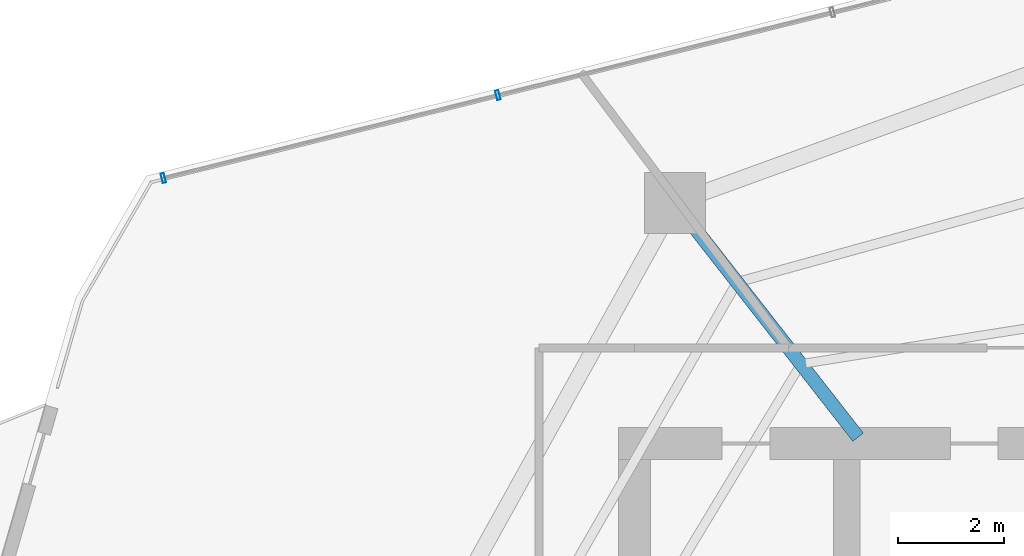
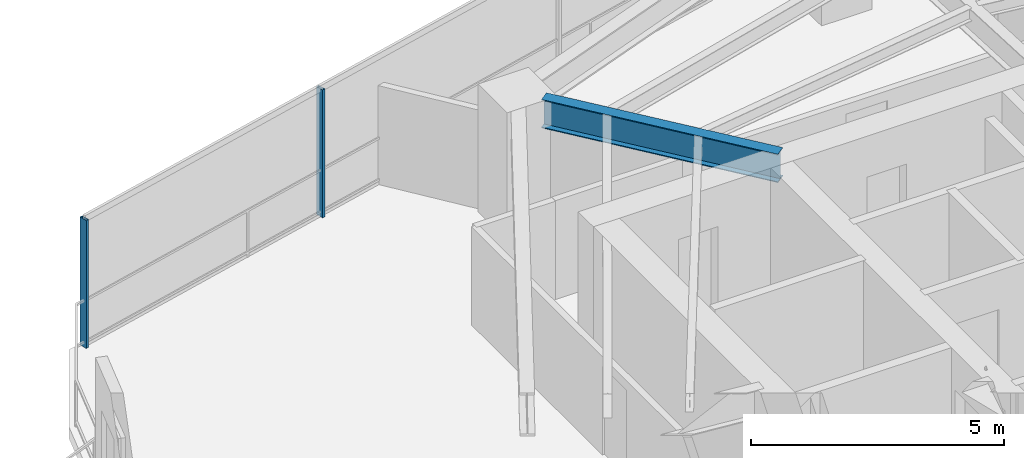
# One storey, part 12 of 23: 2 members, 1 beam, 1 element without a shape of its own.
"""IFC4 building model written with IfcOpenShell, lengths in metres."""

from ifc_helpers import new_model, si_unit, direction, frame, origin, origin_2d, place, context, subcontext, project, spatial, hollow_rectangle, i_section, extrude, material, layer, layer_set, material_profile, profile_set, type_object, element, aggregate, save


model = new_model("IFC4")

# Units and contexts
model_context = context("Model", 3, precision=1e-05, world=origin(), true_north=direction((0.0, 1.0)))
body_context = subcontext(model_context, "Body", "Model", "MODEL_VIEW")
ifc_project = project(units=[si_unit("LENGTHUNIT", "METRE"), si_unit("AREAUNIT", "SQUARE_METRE"), si_unit("VOLUMEUNIT", "CUBIC_METRE"), si_unit("PLANEANGLEUNIT", "RADIAN"), si_unit("MASSUNIT", "GRAM", prefix="KILO")], contexts=[model_context])

# Site, building, storey
site_placement = place(None, origin())
site = spatial("IfcSite", under=ifc_project, at=site_placement, CompositionType="ELEMENT")
building_placement = place(site_placement, origin())
building = spatial("IfcBuilding", under=site, at=building_placement, Name="Qarnah Convention Tower", CompositionType="ELEMENT")
storey_placement = place(building_placement, frame((0.0, 0.0, 117.75)))
storey = spatial("IfcBuildingStorey", under=building, at=storey_placement, Name="L31", CompositionType="ELEMENT", Elevation=117.75)

# Beam
ifc_material_1 = material(Name="Structural steel S355JR", Category="steel")
ifc_material_profile_1 = material_profile(ifc_material_1, i_section(OverallWidth=0.25390625, OverallDepth=0.68798828125, WebThickness=0.012939453125, FlangeThickness=0.02099609375, at=origin_2d()), Name="W690X152")
ifc_profile_set_1 = profile_set([ifc_material_profile_1], Name="Structural steel S355JR")
beam_type = type_object("IfcBeamType", Name="BM-RAD-W690", PredefinedType="BEAM", material=ifc_profile_set_1)
beam_placement = place(storey_placement, frame((31.013916015625, 34.318115234375, 2.74609375), z_axis=(-0.61565061353, 0.788019239651, 0.0), x_axis=(-0.788019239651, -0.61565061353, 0.0)))
element("IfcBeam", 1, at=beam_placement, inside=storey, type_object=beam_type, Name="L31 beam BM-L31-RAD-04", PredefinedType="BEAM", context=body_context, shape_type="SweptSolid", body=[
    extrude(i_section(OverallWidth=0.25390625, OverallDepth=0.68798828125, WebThickness=0.012939453125, FlangeThickness=0.02099609375, at=origin_2d()), origin(), (0.0, 0.0, 1.0), 5.046630859375),
])

# Curtain wall, members
ifc_material_2 = material(Name="Tempered Low-E dark glass", Category="glass")
ifc_layer = layer(ifc_material_2, 0.169921875)
ifc_layer_set = layer_set([ifc_layer], Name="Tempered Low-E dark glass")
curtain_wall_type = type_object("IfcCurtainWallType", Name="CWS-02", PredefinedType="NOTDEFINED", material=ifc_layer_set)
curtain_wall_placement = place(storey_placement, origin())
curtain_wall = element("IfcCurtainWall", 2, at=curtain_wall_placement, inside=storey, type_object=curtain_wall_type, Name="L31 unitised curtain wall CW-L31-F1", PredefinedType="NOTDEFINED")
ifc_material_3 = material(Name="Black anodised aluminium", Category="aluminium")
ifc_material_profile_2 = material_profile(ifc_material_3, hollow_rectangle(XDim=0.06494140625, YDim=0.179931640625, WallThickness=0.00390625, at=origin_2d()), Name="MUL-65X180")
ifc_profile_set_2 = profile_set([ifc_material_profile_2], Name="Black anodised aluminium")
member_type = type_object("IfcMemberType", Name="MUL-T2", PredefinedType="MULLION", material=ifc_profile_set_2)
member_1_placement = place(storey_placement, frame((17.928955078125, 39.197021484375, 0.0), z_axis=(0.0, 0.0, 1.0), x_axis=(0.970638864728, 0.240541460625, 0.0)))
member_1 = element("IfcMember", 3, at=member_1_placement, type_object=member_type, Name="CW-L31-F1 mullion 1", PredefinedType="MULLION", context=body_context, shape_type="SweptSolid", body=[
    extrude(hollow_rectangle(XDim=0.06494140625, YDim=0.179931640625, WallThickness=0.00390625, at=origin_2d()), origin(), (0.0, 0.0, 1.0), 3.090087890625),
])
member_2_placement = place(storey_placement, frame((24.2294921875, 40.75830078125, 0.0), z_axis=(0.0, 0.0, 1.0), x_axis=(0.970638864728, 0.240541460625, 0.0)))
member_2 = element("IfcMember", 4, at=member_2_placement, type_object=member_type, Name="CW-L31-F1 mullion 2", PredefinedType="MULLION", context=body_context, shape_type="SweptSolid", body=[
    extrude(hollow_rectangle(XDim=0.06494140625, YDim=0.179931640625, WallThickness=0.00390625, at=origin_2d()), origin(), (0.0, 0.0, 1.0), 3.090087890625),
])
aggregate(curtain_wall, [member_1, member_2])

save(model, "model.ifc")
